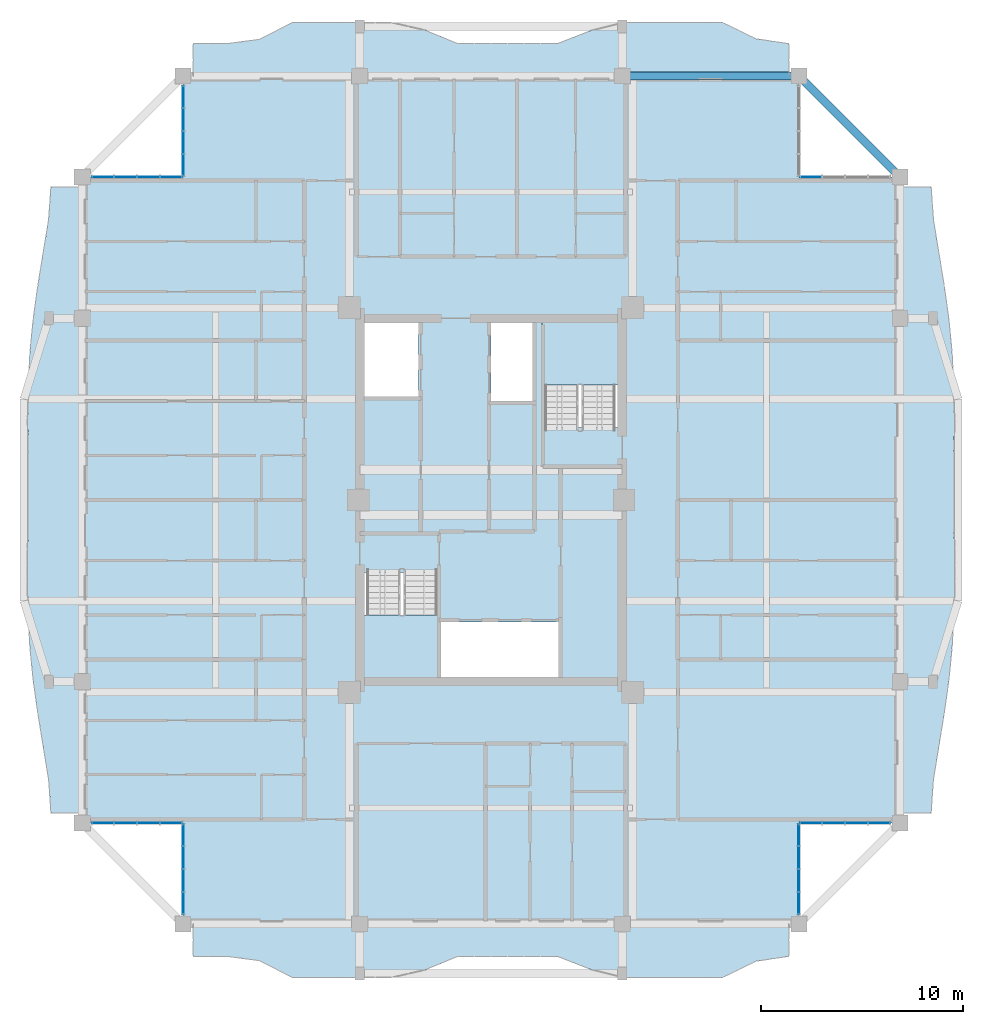
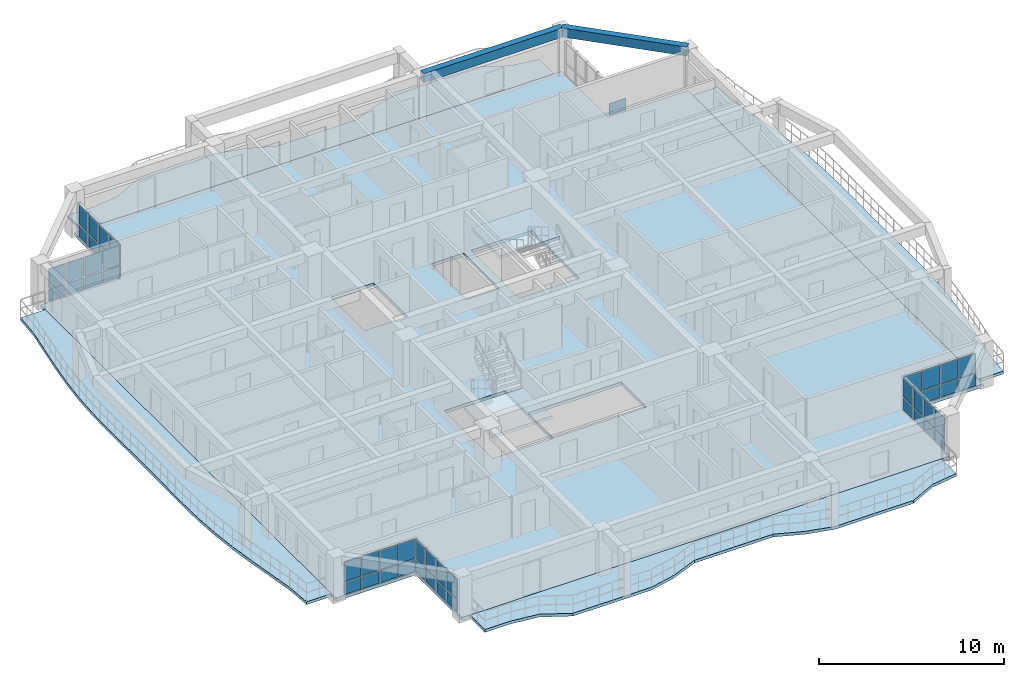
# One storey, part 9 of 21: 49 plates, 7 slabs, 2 beams, 9 elements without a shape of their own.
"""IFC4 building model written with IfcOpenShell, lengths in metres."""

from ifc_helpers import new_model, si_unit, direction, frame, origin, origin_2d, place, context, subcontext, project, spatial, polyline, rectangle, outline, extrude, source, transform, mapped, material, layer, layer_set, material_profile, profile_set, type_object, element, aggregate, save


model = new_model("IFC4")

# Units and contexts
model_context = context("Model", 3, precision=1e-05, world=origin(), true_north=direction((0.0, 1.0)))
body_context = subcontext(model_context, "Body", "Model", "MODEL_VIEW")
ifc_project = project(units=[si_unit("LENGTHUNIT", "METRE"), si_unit("AREAUNIT", "SQUARE_METRE"), si_unit("VOLUMEUNIT", "CUBIC_METRE"), si_unit("PLANEANGLEUNIT", "RADIAN"), si_unit("MASSUNIT", "GRAM", prefix="KILO")], contexts=[model_context])

# Site, building, storey
site_placement = place(None, origin())
site = spatial("IfcSite", under=ifc_project, at=site_placement, CompositionType="ELEMENT")
building_placement = place(site_placement, origin())
building = spatial("IfcBuilding", under=site, at=building_placement, Name="Saelheon Loggia Tower", CompositionType="ELEMENT")
storey_placement = place(building_placement, frame((0.0, 0.0, 186.699951171875)))
storey = spatial("IfcBuildingStorey", under=building, at=storey_placement, Name="L58", CompositionType="ELEMENT", Elevation=186.699951171875)

# Beams
ifc_material_1 = material(Name="Concrete C40/50", Category="concrete")
ifc_material_profile = material_profile(ifc_material_1, rectangle(XDim=0.39990234375, YDim=0.60009765625, at=origin_2d()), Name="RC-400x600")
ifc_profile_set = profile_set([ifc_material_profile], Name="Concrete C40/50")
beam_type = type_object("IfcBeamType", Name="Beam_PerimUpper_RC400x600", PredefinedType="BEAM", material=ifc_profile_set)
shared_shape_1 = source(origin(), body_context, "Body", "SweptSolid", [
    extrude(rectangle(XDim=0.39990234375, YDim=0.60009765625, at=origin_2d()), origin(), (0.0, 0.0, 1.0), 8.75),
])
beam_1_placement = place(storey_placement, frame((53.25, 48.0, 2.699951171875), z_axis=(-1.0, 0.0, 0.0), x_axis=(0.0, -1.0, 0.0)))
element("IfcBeam", 1, at=beam_1_placement, inside=storey, type_object=beam_type, Name="L58 Perimeter Frame Girder 09", PredefinedType="BEAM", context=body_context, shape_type="MappedRepresentation", body=[
    mapped(shared_shape_1, transform((0.0, 0.0, 0.0), scale=1.0)),
])
shared_shape_2 = source(origin(), body_context, "Body", "SweptSolid", [
    extrude(rectangle(XDim=0.39990234375, YDim=0.60009765625, at=origin_2d()), origin(), (0.0, 0.0, 1.0), 7.071044921875),
])
beam_2_placement = place(storey_placement, frame((58.25, 43.0, 2.699951171875), z_axis=(-0.707106781187, 0.707106781187, 0.0), x_axis=(-0.707106781187, -0.707106781187, 0.0)))
element("IfcBeam", 2, at=beam_2_placement, inside=storey, type_object=beam_type, Name="L58 Perimeter Frame Girder 08", PredefinedType="BEAM", context=body_context, shape_type="MappedRepresentation", body=[
    mapped(shared_shape_2, transform((0.0, 0.0, 0.0), scale=1.0)),
])

# Slabs
ifc_material_2 = material(Name="Precast Concrete C45/55", Category="concrete")
ifc_layer_1 = layer(ifc_material_2, 0.18994140625)
ifc_layer_set_1 = layer_set([ifc_layer_1], Name="Precast Concrete C45/55")
slab_type_1 = type_object("IfcSlabType", Name="Slab_Loggia_Ext_190", PredefinedType="FLOOR", material=ifc_layer_set_1)
slab_1_placement = place(storey_placement, frame((0.0, 0.0, -0.18994140625)))
element("IfcSlab", 3, at=slab_1_placement, inside=storey, type_object=slab_type_1, Name="L58 Loggia Balcony Slab S", PredefinedType="FLOOR", context=body_context, shape_type="SweptSolid", body=[
    extrude(outline(polyline([(23.25, 4.39990234375), (24.888916015625, 4.39990234375), (26.52783203125, 4.184814453125), (28.166748046875, 3.35009765625), (29.8056640625, 3.35009765625), (31.4443359375, 3.35009765625), (33.083251953125, 3.35009765625), (34.72216796875, 3.726318359375), (36.361083984375, 4.39990234375), (38.0, 4.39990234375), (39.638916015625, 4.39990234375), (41.27783203125, 4.39990234375), (42.916748046875, 3.759521484375), (44.5556640625, 3.35009765625), (46.1943359375, 3.35009765625), (47.833251953125, 3.35009765625), (49.47216796875, 3.35009765625), (51.111083984375, 4.152587890625), (52.75, 4.39990234375), (52.75, 6.0), (23.25, 6.0), (23.25, 4.39990234375)])), origin(), (0.0, 0.0, 1.0), 0.18994140625),
])
slab_2_placement = place(storey_placement, frame((0.0, 0.0, -0.18994140625)))
element("IfcSlab", 4, at=slab_2_placement, inside=storey, type_object=slab_type_1, Name="L58 Loggia Balcony Slab N", PredefinedType="FLOOR", context=body_context, shape_type="SweptSolid", body=[
    extrude(outline(polyline([(23.25, 48.0), (52.75, 48.0), (52.75, 49.60009765625), (51.111083984375, 49.847412109375), (49.47216796875, 50.64990234375), (47.833251953125, 50.64990234375), (46.1943359375, 50.64990234375), (44.5556640625, 50.64990234375), (42.916748046875, 50.240478515625), (41.27783203125, 49.60009765625), (39.638916015625, 49.60009765625), (38.0, 49.60009765625), (36.361083984375, 49.60009765625), (34.72216796875, 50.273681640625), (33.083251953125, 50.64990234375), (31.4443359375, 50.64990234375), (29.8056640625, 50.64990234375), (28.166748046875, 50.64990234375), (26.52783203125, 49.815185546875), (24.888916015625, 49.60009765625), (23.25, 49.60009765625), (23.25, 48.0)])), origin(), (0.0, 0.0, 1.0), 0.18994140625),
])
slab_3_placement = place(storey_placement, frame((0.0, 0.0, -0.18994140625)))
element("IfcSlab", 5, at=slab_3_placement, inside=storey, type_object=slab_type_1, Name="L58 Loggia Balcony Slab E", PredefinedType="FLOOR", context=body_context, shape_type="SweptSolid", body=[
    extrude(outline(polyline([(58.25, 11.5), (59.800048828125, 11.5), (59.91064453125, 13.131591796875), (60.17529296875, 14.76318359375), (60.441650390625, 16.394775390625), (60.67236328125, 18.0263671875), (60.83837890625, 19.657958984375), (60.929931640625, 21.28955078125), (60.958251953125, 22.921142578125), (60.94970703125, 24.552490234375), (60.933837890625, 26.18408203125), (60.9306640625, 27.81591796875), (60.94140625, 29.447509765625), (60.948486328125, 31.078857421875), (60.922607421875, 32.71044921875), (60.836669921875, 34.342041015625), (60.6767578125, 35.9736328125), (60.450439453125, 37.605224609375), (60.184814453125, 39.23681640625), (59.9169921875, 40.868408203125), (59.800048828125, 42.5), (58.25, 42.5), (58.25, 11.5)])), origin(), (0.0, 0.0, 1.0), 0.18994140625),
])
slab_4_placement = place(storey_placement, frame((0.0, 0.0, -0.18994140625)))
element("IfcSlab", 6, at=slab_4_placement, inside=storey, type_object=slab_type_1, Name="L58 Loggia Balcony Slab W", PredefinedType="FLOOR", context=body_context, shape_type="SweptSolid", body=[
    extrude(outline(polyline([(17.75, 11.5), (17.75, 42.5), (16.199951171875, 42.5), (16.0830078125, 40.868408203125), (15.815185546875, 39.23681640625), (15.549560546875, 37.605224609375), (15.3232421875, 35.9736328125), (15.163330078125, 34.342041015625), (15.077392578125, 32.71044921875), (15.051513671875, 31.078857421875), (15.05859375, 29.447509765625), (15.0693359375, 27.81591796875), (15.066162109375, 26.18408203125), (15.05029296875, 24.552490234375), (15.041748046875, 22.921142578125), (15.070068359375, 21.28955078125), (15.16162109375, 19.657958984375), (15.32763671875, 18.0263671875), (15.558349609375, 16.394775390625), (15.82470703125, 14.76318359375), (16.08935546875, 13.131591796875), (16.199951171875, 11.5), (17.75, 11.5)])), origin(), (0.0, 0.0, 1.0), 0.18994140625),
])

# Stair, slab
stair_type = type_object("IfcStairType", Name="Stair_Escape_Core", PredefinedType="HALF_TURN_STAIR", material=ifc_material_1)
stair_1_placement = place(storey_placement, origin())
stair_1 = element("IfcStair", 7, at=stair_1_placement, inside=storey, type_object=stair_type, Name="L58 Special Escape Stair ST1", PredefinedType="HALF_TURN_STAIR")
ifc_layer_2 = layer(ifc_material_1, 0.199951171875)
ifc_layer_set_2 = layer_set([ifc_layer_2], Name="Concrete C40/50")
slab_type_2 = type_object("IfcSlabType", Name="Slab_StairLanding_ST1", PredefinedType="LANDING", material=ifc_layer_set_2)
slab_5_placement = place(storey_placement, frame((0.0, 0.0, 1.300048828125)))
slab_5 = element("IfcSlab", 8, at=slab_5_placement, type_object=slab_type_2, Name="ST1 landing 1", PredefinedType="LANDING", context=body_context, shape_type="SweptSolid", body=[
    extrude(outline(polyline([(31.7099609375, 21.31005859375), (31.7099609375, 18.2099609375), (35.469970703125, 18.2099609375), (35.469970703125, 21.31005859375), (31.7099609375, 21.31005859375)])), origin(), (0.0, 0.0, 1.0), 0.199951171875),
])
aggregate(stair_1, [slab_5])

stair_2_placement = place(storey_placement, origin())
stair_2 = element("IfcStair", 9, at=stair_2_placement, inside=storey, type_object=stair_type, Name="L58 Special Escape Stair ST2", PredefinedType="HALF_TURN_STAIR")
ifc_layer_3 = layer(ifc_material_1, 0.199951171875)
ifc_layer_set_3 = layer_set([ifc_layer_3], Name="Concrete C40/50")
slab_type_3 = type_object("IfcSlabType", Name="Slab_StairLanding_ST2", PredefinedType="LANDING", material=ifc_layer_set_3)
slab_6_placement = place(storey_placement, frame((0.0, 0.0, 1.300048828125)))
slab_6 = element("IfcSlab", 10, at=slab_6_placement, type_object=slab_type_3, Name="ST2 landing 1", PredefinedType="LANDING", context=body_context, shape_type="SweptSolid", body=[
    extrude(outline(polyline([(44.2900390625, 32.68994140625), (44.2900390625, 35.7900390625), (40.530029296875, 35.7900390625), (40.530029296875, 32.68994140625), (44.2900390625, 32.68994140625)])), origin(), (0.0, 0.0, 1.0), 0.199951171875),
])
aggregate(stair_2, [slab_6])

# Slab
ifc_layer_4 = layer(ifc_material_1, 0.2099609375)
ifc_layer_set_4 = layer_set([ifc_layer_4], Name="Concrete C40/50")
slab_type_4 = type_object("IfcSlabType", Name="Slab_Tower_210", PredefinedType="FLOOR", material=ifc_layer_set_4)
slab_7_placement = place(storey_placement, frame((0.0, 0.0, -0.2099609375)))
element("IfcSlab", 11, at=slab_7_placement, inside=storey, type_object=slab_type_4, Name="L58 Tower Floor Slab", PredefinedType="FLOOR", context=body_context, shape_type="SweptSolid", body=[
    extrude(outline(polyline([(22.75, 6.0), (53.25, 6.0), (53.25, 11.0), (58.25, 11.0), (58.25, 43.0), (53.25, 43.0), (53.25, 48.0), (22.75, 48.0), (22.75, 43.0), (17.75, 43.0), (17.75, 11.0), (22.75, 11.0), (22.75, 6.0)]), holes=[polyline([(31.699951171875, 23.409912109375), (31.699951171875, 18.199951171875), (35.47998046875, 18.199951171875), (35.47998046875, 23.409912109375), (31.699951171875, 23.409912109375)]), polyline([(44.300048828125, 30.590087890625), (44.300048828125, 35.800048828125), (40.52001953125, 35.800048828125), (40.52001953125, 30.590087890625), (44.300048828125, 30.590087890625)]), polyline([(35.530029296875, 18.22509765625), (41.35009765625, 18.22509765625), (41.35009765625, 20.9599609375), (35.530029296875, 20.9599609375), (35.530029296875, 18.22509765625)]), polyline([(31.72509765625, 32.1201171875), (34.419921875, 32.1201171875), (34.419921875, 35.77490234375), (31.72509765625, 35.77490234375), (31.72509765625, 32.1201171875)]), polyline([(38.0, 31.89990234375), (40.050048828125, 31.89990234375), (40.050048828125, 35.77490234375), (38.0, 35.77490234375), (38.0, 31.89990234375)])]), origin(), (0.0, 0.0, 1.0), 0.2099609375),
])

# Curtain wall, plates
ifc_material_3 = material(Name="High-Wind Aluminium and Triple Laminated Glass", Category="aluminium")
ifc_layer_5 = layer(ifc_material_3, 0.179931640625)
ifc_layer_set_5 = layer_set([ifc_layer_5], Name="High-Wind Aluminium and Triple Laminated Glass")
curtain_wall_type = type_object("IfcCurtainWallType", Name="CW_TowerLoggiaHigh", PredefinedType="NOTDEFINED", material=ifc_layer_set_5)
curtain_wall_1_placement = place(storey_placement, origin())
curtain_wall_1 = element("IfcCurtainWall", 12, at=curtain_wall_1_placement, inside=storey, type_object=curtain_wall_type, Name="L58 Corner Notch Glazing SW1", PredefinedType="NOTDEFINED")
ifc_material_4 = material(Name="Triple Low-E Laminated Glazing", Category="glass")
ifc_layer_6 = layer(ifc_material_4, 0.0439453125)
ifc_layer_set_6 = layer_set([ifc_layer_6], Name="Triple Low-E Laminated Glazing")
plate_type = type_object("IfcPlateType", Name="CW_TowerLoggiaHigh_Panel", PredefinedType="CURTAIN_PANEL", material=ifc_layer_set_6)
shared_shape_3 = source(origin(), body_context, "Body", "SweptSolid", [
    extrude(rectangle(XDim=1.034912109375, YDim=0.0439453125, at=origin_2d()), origin(), (0.0, 0.0, 1.0), 0.794921875),
])
plate_1_placement = place(storey_placement, frame((22.75, 7.027587890625, 0.070068359375), z_axis=(0.0, 0.0, 1.0), x_axis=(0.0, 1.0, 0.0)))
plate_1 = element("IfcPlate", 13, at=plate_1_placement, type_object=plate_type, Name="CW4 panel 1.1", PredefinedType="CURTAIN_PANEL", context=body_context, shape_type="MappedRepresentation", body=[
    mapped(shared_shape_3, transform((0.0, 0.0, 0.0), scale=1.0)),
])
plate_2_placement = place(storey_placement, frame((22.75, 10.41259765625, 0.070068359375), z_axis=(0.0, 0.0, 1.0), x_axis=(0.0, 1.0, 0.0)))
plate_2 = element("IfcPlate", 14, at=plate_2_placement, type_object=plate_type, Name="CW4 panel 4.1", PredefinedType="CURTAIN_PANEL", context=body_context, shape_type="MappedRepresentation", body=[
    mapped(shared_shape_3, transform((0.0, 0.0, 0.0), scale=1.0)),
])

curtain_wall_2_placement = place(storey_placement, origin())
curtain_wall_2 = element("IfcCurtainWall", 15, at=curtain_wall_2_placement, inside=storey, type_object=curtain_wall_type, Name="L58 Corner Notch Glazing SW2", PredefinedType="NOTDEFINED")
plate_3_placement = place(storey_placement, frame((18.777587890625, 11.0, 0.070068359375), z_axis=(0.0, 0.0, 1.0), x_axis=(1.0, 0.0, 0.0)))
plate_3 = element("IfcPlate", 16, at=plate_3_placement, type_object=plate_type, Name="CW4 panel 1.1", PredefinedType="CURTAIN_PANEL", context=body_context, shape_type="MappedRepresentation", body=[
    mapped(shared_shape_3, transform((0.0, 0.0, 0.0), scale=1.0)),
])
plate_4_placement = place(storey_placement, frame((22.16259765625, 11.0, 0.070068359375), z_axis=(0.0, 0.0, 1.0), x_axis=(1.0, 0.0, 0.0)))
plate_4 = element("IfcPlate", 17, at=plate_4_placement, type_object=plate_type, Name="CW4 panel 4.1", PredefinedType="CURTAIN_PANEL", context=body_context, shape_type="MappedRepresentation", body=[
    mapped(shared_shape_3, transform((0.0, 0.0, 0.0), scale=1.0)),
])

curtain_wall_3_placement = place(storey_placement, origin())
curtain_wall_3 = element("IfcCurtainWall", 18, at=curtain_wall_3_placement, inside=storey, type_object=curtain_wall_type, Name="L58 Corner Notch Glazing SE1", PredefinedType="NOTDEFINED")
plate_5_placement = place(storey_placement, frame((53.25, 7.027587890625, 0.070068359375), z_axis=(0.0, 0.0, 1.0), x_axis=(0.0, 1.0, 0.0)))
plate_5 = element("IfcPlate", 19, at=plate_5_placement, type_object=plate_type, Name="CW4 panel 1.1", PredefinedType="CURTAIN_PANEL", context=body_context, shape_type="MappedRepresentation", body=[
    mapped(shared_shape_3, transform((0.0, 0.0, 0.0), scale=1.0)),
])
plate_6_placement = place(storey_placement, frame((53.25, 10.41259765625, 0.070068359375), z_axis=(0.0, 0.0, 1.0), x_axis=(0.0, 1.0, 0.0)))
plate_6 = element("IfcPlate", 20, at=plate_6_placement, type_object=plate_type, Name="CW4 panel 4.1", PredefinedType="CURTAIN_PANEL", context=body_context, shape_type="MappedRepresentation", body=[
    mapped(shared_shape_3, transform((0.0, 0.0, 0.0), scale=1.0)),
])

curtain_wall_4_placement = place(storey_placement, origin())
curtain_wall_4 = element("IfcCurtainWall", 21, at=curtain_wall_4_placement, inside=storey, type_object=curtain_wall_type, Name="L58 Corner Notch Glazing SE2", PredefinedType="NOTDEFINED")
plate_7_placement = place(storey_placement, frame((53.83740234375, 11.0, 0.070068359375), z_axis=(0.0, 0.0, 1.0), x_axis=(1.0, 0.0, 0.0)))
plate_7 = element("IfcPlate", 22, at=plate_7_placement, type_object=plate_type, Name="CW4 panel 1.1", PredefinedType="CURTAIN_PANEL", context=body_context, shape_type="MappedRepresentation", body=[
    mapped(shared_shape_3, transform((0.0, 0.0, 0.0), scale=1.0)),
])
plate_8_placement = place(storey_placement, frame((57.222412109375, 11.0, 0.070068359375), z_axis=(0.0, 0.0, 1.0), x_axis=(1.0, 0.0, 0.0)))
plate_8 = element("IfcPlate", 23, at=plate_8_placement, type_object=plate_type, Name="CW4 panel 4.1", PredefinedType="CURTAIN_PANEL", context=body_context, shape_type="MappedRepresentation", body=[
    mapped(shared_shape_3, transform((0.0, 0.0, 0.0), scale=1.0)),
])

curtain_wall_5_placement = place(storey_placement, origin())
curtain_wall_5 = element("IfcCurtainWall", 24, at=curtain_wall_5_placement, inside=storey, type_object=curtain_wall_type, Name="L58 Corner Notch Glazing NW1", PredefinedType="NOTDEFINED")
plate_9_placement = place(storey_placement, frame((22.75, 43.58740234375, 0.070068359375), z_axis=(0.0, 0.0, 1.0), x_axis=(0.0, 1.0, 0.0)))
plate_9 = element("IfcPlate", 25, at=plate_9_placement, type_object=plate_type, Name="CW4 panel 1.1", PredefinedType="CURTAIN_PANEL", context=body_context, shape_type="MappedRepresentation", body=[
    mapped(shared_shape_3, transform((0.0, 0.0, 0.0), scale=1.0)),
])
plate_10_placement = place(storey_placement, frame((22.75, 46.972412109375, 0.070068359375), z_axis=(0.0, 0.0, 1.0), x_axis=(0.0, 1.0, 0.0)))
plate_10 = element("IfcPlate", 26, at=plate_10_placement, type_object=plate_type, Name="CW4 panel 4.1", PredefinedType="CURTAIN_PANEL", context=body_context, shape_type="MappedRepresentation", body=[
    mapped(shared_shape_3, transform((0.0, 0.0, 0.0), scale=1.0)),
])

curtain_wall_6_placement = place(storey_placement, origin())
curtain_wall_6 = element("IfcCurtainWall", 27, at=curtain_wall_6_placement, inside=storey, type_object=curtain_wall_type, Name="L58 Corner Notch Glazing NW2", PredefinedType="NOTDEFINED")
plate_11_placement = place(storey_placement, frame((18.777587890625, 43.0, 0.070068359375), z_axis=(0.0, 0.0, 1.0), x_axis=(1.0, 0.0, 0.0)))
plate_11 = element("IfcPlate", 28, at=plate_11_placement, type_object=plate_type, Name="CW4 panel 1.1", PredefinedType="CURTAIN_PANEL", context=body_context, shape_type="MappedRepresentation", body=[
    mapped(shared_shape_3, transform((0.0, 0.0, 0.0), scale=1.0)),
])
plate_12_placement = place(storey_placement, frame((22.16259765625, 43.0, 0.070068359375), z_axis=(0.0, 0.0, 1.0), x_axis=(1.0, 0.0, 0.0)))
plate_12 = element("IfcPlate", 29, at=plate_12_placement, type_object=plate_type, Name="CW4 panel 4.1", PredefinedType="CURTAIN_PANEL", context=body_context, shape_type="MappedRepresentation", body=[
    mapped(shared_shape_3, transform((0.0, 0.0, 0.0), scale=1.0)),
])

# Curtain wall, plate
curtain_wall_7_placement = place(storey_placement, origin())
curtain_wall_7 = element("IfcCurtainWall", 30, at=curtain_wall_7_placement, inside=storey, type_object=curtain_wall_type, Name="L58 Corner Notch Glazing NE2", PredefinedType="NOTDEFINED")
plate_13_placement = place(storey_placement, frame((53.83740234375, 43.0, 0.070068359375), z_axis=(0.0, 0.0, 1.0), x_axis=(1.0, 0.0, 0.0)))
plate_13 = element("IfcPlate", 31, at=plate_13_placement, type_object=plate_type, Name="CW4 panel 1.1", PredefinedType="CURTAIN_PANEL", context=body_context, shape_type="MappedRepresentation", body=[
    mapped(shared_shape_3, transform((0.0, 0.0, 0.0), scale=1.0)),
])
aggregate(curtain_wall_7, [plate_13])

# Plate
shared_shape_4 = source(origin(), body_context, "Body", "SweptSolid", [
    extrude(rectangle(XDim=1.034912109375, YDim=0.0439453125, at=origin_2d()), origin(), (0.0, 0.0, 1.0), 1.27490234375),
])
plate_14_placement = place(storey_placement, frame((22.75, 7.027587890625, 0.93505859375), z_axis=(0.0, 0.0, 1.0), x_axis=(0.0, 1.0, 0.0)))
plate_14 = element("IfcPlate", 32, at=plate_14_placement, type_object=plate_type, Name="CW4 panel 1.2", PredefinedType="CURTAIN_PANEL", context=body_context, shape_type="MappedRepresentation", body=[
    mapped(shared_shape_4, transform((0.0, 0.0, 0.0), scale=1.0)),
])

plate_15_placement = place(storey_placement, frame((22.75, 10.41259765625, 0.93505859375), z_axis=(0.0, 0.0, 1.0), x_axis=(0.0, 1.0, 0.0)))
plate_15 = element("IfcPlate", 33, at=plate_15_placement, type_object=plate_type, Name="CW4 panel 4.2", PredefinedType="CURTAIN_PANEL", context=body_context, shape_type="MappedRepresentation", body=[
    mapped(shared_shape_4, transform((0.0, 0.0, 0.0), scale=1.0)),
])

plate_16_placement = place(storey_placement, frame((18.777587890625, 11.0, 0.93505859375), z_axis=(0.0, 0.0, 1.0), x_axis=(1.0, 0.0, 0.0)))
plate_16 = element("IfcPlate", 34, at=plate_16_placement, type_object=plate_type, Name="CW4 panel 1.2", PredefinedType="CURTAIN_PANEL", context=body_context, shape_type="MappedRepresentation", body=[
    mapped(shared_shape_4, transform((0.0, 0.0, 0.0), scale=1.0)),
])

plate_17_placement = place(storey_placement, frame((22.16259765625, 11.0, 0.93505859375), z_axis=(0.0, 0.0, 1.0), x_axis=(1.0, 0.0, 0.0)))
plate_17 = element("IfcPlate", 35, at=plate_17_placement, type_object=plate_type, Name="CW4 panel 4.2", PredefinedType="CURTAIN_PANEL", context=body_context, shape_type="MappedRepresentation", body=[
    mapped(shared_shape_4, transform((0.0, 0.0, 0.0), scale=1.0)),
])

plate_18_placement = place(storey_placement, frame((53.25, 7.027587890625, 0.93505859375), z_axis=(0.0, 0.0, 1.0), x_axis=(0.0, 1.0, 0.0)))
plate_18 = element("IfcPlate", 36, at=plate_18_placement, type_object=plate_type, Name="CW4 panel 1.2", PredefinedType="CURTAIN_PANEL", context=body_context, shape_type="MappedRepresentation", body=[
    mapped(shared_shape_4, transform((0.0, 0.0, 0.0), scale=1.0)),
])

plate_19_placement = place(storey_placement, frame((53.25, 10.41259765625, 0.93505859375), z_axis=(0.0, 0.0, 1.0), x_axis=(0.0, 1.0, 0.0)))
plate_19 = element("IfcPlate", 37, at=plate_19_placement, type_object=plate_type, Name="CW4 panel 4.2", PredefinedType="CURTAIN_PANEL", context=body_context, shape_type="MappedRepresentation", body=[
    mapped(shared_shape_4, transform((0.0, 0.0, 0.0), scale=1.0)),
])

plate_20_placement = place(storey_placement, frame((53.83740234375, 11.0, 0.93505859375), z_axis=(0.0, 0.0, 1.0), x_axis=(1.0, 0.0, 0.0)))
plate_20 = element("IfcPlate", 38, at=plate_20_placement, type_object=plate_type, Name="CW4 panel 1.2", PredefinedType="CURTAIN_PANEL", context=body_context, shape_type="MappedRepresentation", body=[
    mapped(shared_shape_4, transform((0.0, 0.0, 0.0), scale=1.0)),
])

plate_21_placement = place(storey_placement, frame((57.222412109375, 11.0, 0.93505859375), z_axis=(0.0, 0.0, 1.0), x_axis=(1.0, 0.0, 0.0)))
plate_21 = element("IfcPlate", 39, at=plate_21_placement, type_object=plate_type, Name="CW4 panel 4.2", PredefinedType="CURTAIN_PANEL", context=body_context, shape_type="MappedRepresentation", body=[
    mapped(shared_shape_4, transform((0.0, 0.0, 0.0), scale=1.0)),
])

plate_22_placement = place(storey_placement, frame((22.75, 43.58740234375, 0.93505859375), z_axis=(0.0, 0.0, 1.0), x_axis=(0.0, 1.0, 0.0)))
plate_22 = element("IfcPlate", 40, at=plate_22_placement, type_object=plate_type, Name="CW4 panel 1.2", PredefinedType="CURTAIN_PANEL", context=body_context, shape_type="MappedRepresentation", body=[
    mapped(shared_shape_4, transform((0.0, 0.0, 0.0), scale=1.0)),
])

plate_23_placement = place(storey_placement, frame((22.75, 46.972412109375, 0.93505859375), z_axis=(0.0, 0.0, 1.0), x_axis=(0.0, 1.0, 0.0)))
plate_23 = element("IfcPlate", 41, at=plate_23_placement, type_object=plate_type, Name="CW4 panel 4.2", PredefinedType="CURTAIN_PANEL", context=body_context, shape_type="MappedRepresentation", body=[
    mapped(shared_shape_4, transform((0.0, 0.0, 0.0), scale=1.0)),
])

plate_24_placement = place(storey_placement, frame((18.777587890625, 43.0, 0.93505859375), z_axis=(0.0, 0.0, 1.0), x_axis=(1.0, 0.0, 0.0)))
plate_24 = element("IfcPlate", 42, at=plate_24_placement, type_object=plate_type, Name="CW4 panel 1.2", PredefinedType="CURTAIN_PANEL", context=body_context, shape_type="MappedRepresentation", body=[
    mapped(shared_shape_4, transform((0.0, 0.0, 0.0), scale=1.0)),
])

plate_25_placement = place(storey_placement, frame((22.16259765625, 43.0, 0.93505859375), z_axis=(0.0, 0.0, 1.0), x_axis=(1.0, 0.0, 0.0)))
plate_25 = element("IfcPlate", 43, at=plate_25_placement, type_object=plate_type, Name="CW4 panel 4.2", PredefinedType="CURTAIN_PANEL", context=body_context, shape_type="MappedRepresentation", body=[
    mapped(shared_shape_4, transform((0.0, 0.0, 0.0), scale=1.0)),
])

shared_shape_5 = source(origin(), body_context, "Body", "SweptSolid", [
    extrude(rectangle(XDim=1.070068359375, YDim=0.0439453125, at=origin_2d()), origin(), (0.0, 0.0, 1.0), 0.794921875),
])
plate_26_placement = place(storey_placement, frame((22.75, 8.14990234375, 0.070068359375), z_axis=(0.0, 0.0, 1.0), x_axis=(0.0, 1.0, 0.0)))
plate_26 = element("IfcPlate", 44, at=plate_26_placement, type_object=plate_type, Name="CW4 panel 2.1", PredefinedType="CURTAIN_PANEL", context=body_context, shape_type="MappedRepresentation", body=[
    mapped(shared_shape_5, transform((0.0, 0.0, 0.0), scale=1.0)),
])

plate_27_placement = place(storey_placement, frame((22.75, 9.2900390625, 0.070068359375), z_axis=(0.0, 0.0, 1.0), x_axis=(0.0, 1.0, 0.0)))
plate_27 = element("IfcPlate", 45, at=plate_27_placement, type_object=plate_type, Name="CW4 panel 3.1", PredefinedType="CURTAIN_PANEL", context=body_context, shape_type="MappedRepresentation", body=[
    mapped(shared_shape_5, transform((0.0, 0.0, 0.0), scale=1.0)),
])

plate_28_placement = place(storey_placement, frame((19.89990234375, 11.0, 0.070068359375), z_axis=(0.0, 0.0, 1.0), x_axis=(1.0, 0.0, 0.0)))
plate_28 = element("IfcPlate", 46, at=plate_28_placement, type_object=plate_type, Name="CW4 panel 2.1", PredefinedType="CURTAIN_PANEL", context=body_context, shape_type="MappedRepresentation", body=[
    mapped(shared_shape_5, transform((0.0, 0.0, 0.0), scale=1.0)),
])

plate_29_placement = place(storey_placement, frame((21.0400390625, 11.0, 0.070068359375), z_axis=(0.0, 0.0, 1.0), x_axis=(1.0, 0.0, 0.0)))
plate_29 = element("IfcPlate", 47, at=plate_29_placement, type_object=plate_type, Name="CW4 panel 3.1", PredefinedType="CURTAIN_PANEL", context=body_context, shape_type="MappedRepresentation", body=[
    mapped(shared_shape_5, transform((0.0, 0.0, 0.0), scale=1.0)),
])

plate_30_placement = place(storey_placement, frame((53.25, 8.14990234375, 0.070068359375), z_axis=(0.0, 0.0, 1.0), x_axis=(0.0, 1.0, 0.0)))
plate_30 = element("IfcPlate", 48, at=plate_30_placement, type_object=plate_type, Name="CW4 panel 2.1", PredefinedType="CURTAIN_PANEL", context=body_context, shape_type="MappedRepresentation", body=[
    mapped(shared_shape_5, transform((0.0, 0.0, 0.0), scale=1.0)),
])

plate_31_placement = place(storey_placement, frame((53.25, 9.2900390625, 0.070068359375), z_axis=(0.0, 0.0, 1.0), x_axis=(0.0, 1.0, 0.0)))
plate_31 = element("IfcPlate", 49, at=plate_31_placement, type_object=plate_type, Name="CW4 panel 3.1", PredefinedType="CURTAIN_PANEL", context=body_context, shape_type="MappedRepresentation", body=[
    mapped(shared_shape_5, transform((0.0, 0.0, 0.0), scale=1.0)),
])

plate_32_placement = place(storey_placement, frame((54.9599609375, 11.0, 0.070068359375), z_axis=(0.0, 0.0, 1.0), x_axis=(1.0, 0.0, 0.0)))
plate_32 = element("IfcPlate", 50, at=plate_32_placement, type_object=plate_type, Name="CW4 panel 2.1", PredefinedType="CURTAIN_PANEL", context=body_context, shape_type="MappedRepresentation", body=[
    mapped(shared_shape_5, transform((0.0, 0.0, 0.0), scale=1.0)),
])

plate_33_placement = place(storey_placement, frame((56.10009765625, 11.0, 0.070068359375), z_axis=(0.0, 0.0, 1.0), x_axis=(1.0, 0.0, 0.0)))
plate_33 = element("IfcPlate", 51, at=plate_33_placement, type_object=plate_type, Name="CW4 panel 3.1", PredefinedType="CURTAIN_PANEL", context=body_context, shape_type="MappedRepresentation", body=[
    mapped(shared_shape_5, transform((0.0, 0.0, 0.0), scale=1.0)),
])

plate_34_placement = place(storey_placement, frame((22.75, 44.7099609375, 0.070068359375), z_axis=(0.0, 0.0, 1.0), x_axis=(0.0, 1.0, 0.0)))
plate_34 = element("IfcPlate", 52, at=plate_34_placement, type_object=plate_type, Name="CW4 panel 2.1", PredefinedType="CURTAIN_PANEL", context=body_context, shape_type="MappedRepresentation", body=[
    mapped(shared_shape_5, transform((0.0, 0.0, 0.0), scale=1.0)),
])

plate_35_placement = place(storey_placement, frame((22.75, 45.85009765625, 0.070068359375), z_axis=(0.0, 0.0, 1.0), x_axis=(0.0, 1.0, 0.0)))
plate_35 = element("IfcPlate", 53, at=plate_35_placement, type_object=plate_type, Name="CW4 panel 3.1", PredefinedType="CURTAIN_PANEL", context=body_context, shape_type="MappedRepresentation", body=[
    mapped(shared_shape_5, transform((0.0, 0.0, 0.0), scale=1.0)),
])

plate_36_placement = place(storey_placement, frame((19.89990234375, 43.0, 0.070068359375), z_axis=(0.0, 0.0, 1.0), x_axis=(1.0, 0.0, 0.0)))
plate_36 = element("IfcPlate", 54, at=plate_36_placement, type_object=plate_type, Name="CW4 panel 2.1", PredefinedType="CURTAIN_PANEL", context=body_context, shape_type="MappedRepresentation", body=[
    mapped(shared_shape_5, transform((0.0, 0.0, 0.0), scale=1.0)),
])

plate_37_placement = place(storey_placement, frame((21.0400390625, 43.0, 0.070068359375), z_axis=(0.0, 0.0, 1.0), x_axis=(1.0, 0.0, 0.0)))
plate_37 = element("IfcPlate", 55, at=plate_37_placement, type_object=plate_type, Name="CW4 panel 3.1", PredefinedType="CURTAIN_PANEL", context=body_context, shape_type="MappedRepresentation", body=[
    mapped(shared_shape_5, transform((0.0, 0.0, 0.0), scale=1.0)),
])

shared_shape_6 = source(origin(), body_context, "Body", "SweptSolid", [
    extrude(rectangle(XDim=1.070068359375, YDim=0.0439453125, at=origin_2d()), origin(), (0.0, 0.0, 1.0), 1.27490234375),
])
plate_38_placement = place(storey_placement, frame((22.75, 8.14990234375, 0.93505859375), z_axis=(0.0, 0.0, 1.0), x_axis=(0.0, 1.0, 0.0)))
plate_38 = element("IfcPlate", 56, at=plate_38_placement, type_object=plate_type, Name="CW4 panel 2.2", PredefinedType="CURTAIN_PANEL", context=body_context, shape_type="MappedRepresentation", body=[
    mapped(shared_shape_6, transform((0.0, 0.0, 0.0), scale=1.0)),
])

plate_39_placement = place(storey_placement, frame((22.75, 9.2900390625, 0.93505859375), z_axis=(0.0, 0.0, 1.0), x_axis=(0.0, 1.0, 0.0)))
plate_39 = element("IfcPlate", 57, at=plate_39_placement, type_object=plate_type, Name="CW4 panel 3.2", PredefinedType="CURTAIN_PANEL", context=body_context, shape_type="MappedRepresentation", body=[
    mapped(shared_shape_6, transform((0.0, 0.0, 0.0), scale=1.0)),
])

aggregate(curtain_wall_1, [plate_1, plate_14, plate_26, plate_38, plate_27, plate_39, plate_2, plate_15])

plate_40_placement = place(storey_placement, frame((19.89990234375, 11.0, 0.93505859375), z_axis=(0.0, 0.0, 1.0), x_axis=(1.0, 0.0, 0.0)))
plate_40 = element("IfcPlate", 58, at=plate_40_placement, type_object=plate_type, Name="CW4 panel 2.2", PredefinedType="CURTAIN_PANEL", context=body_context, shape_type="MappedRepresentation", body=[
    mapped(shared_shape_6, transform((0.0, 0.0, 0.0), scale=1.0)),
])

plate_41_placement = place(storey_placement, frame((21.0400390625, 11.0, 0.93505859375), z_axis=(0.0, 0.0, 1.0), x_axis=(1.0, 0.0, 0.0)))
plate_41 = element("IfcPlate", 59, at=plate_41_placement, type_object=plate_type, Name="CW4 panel 3.2", PredefinedType="CURTAIN_PANEL", context=body_context, shape_type="MappedRepresentation", body=[
    mapped(shared_shape_6, transform((0.0, 0.0, 0.0), scale=1.0)),
])

aggregate(curtain_wall_2, [plate_3, plate_16, plate_28, plate_40, plate_29, plate_41, plate_4, plate_17])

plate_42_placement = place(storey_placement, frame((53.25, 8.14990234375, 0.93505859375), z_axis=(0.0, 0.0, 1.0), x_axis=(0.0, 1.0, 0.0)))
plate_42 = element("IfcPlate", 60, at=plate_42_placement, type_object=plate_type, Name="CW4 panel 2.2", PredefinedType="CURTAIN_PANEL", context=body_context, shape_type="MappedRepresentation", body=[
    mapped(shared_shape_6, transform((0.0, 0.0, 0.0), scale=1.0)),
])

plate_43_placement = place(storey_placement, frame((53.25, 9.2900390625, 0.93505859375), z_axis=(0.0, 0.0, 1.0), x_axis=(0.0, 1.0, 0.0)))
plate_43 = element("IfcPlate", 61, at=plate_43_placement, type_object=plate_type, Name="CW4 panel 3.2", PredefinedType="CURTAIN_PANEL", context=body_context, shape_type="MappedRepresentation", body=[
    mapped(shared_shape_6, transform((0.0, 0.0, 0.0), scale=1.0)),
])

aggregate(curtain_wall_3, [plate_5, plate_18, plate_30, plate_42, plate_31, plate_43, plate_6, plate_19])

plate_44_placement = place(storey_placement, frame((54.9599609375, 11.0, 0.93505859375), z_axis=(0.0, 0.0, 1.0), x_axis=(1.0, 0.0, 0.0)))
plate_44 = element("IfcPlate", 62, at=plate_44_placement, type_object=plate_type, Name="CW4 panel 2.2", PredefinedType="CURTAIN_PANEL", context=body_context, shape_type="MappedRepresentation", body=[
    mapped(shared_shape_6, transform((0.0, 0.0, 0.0), scale=1.0)),
])

plate_45_placement = place(storey_placement, frame((56.10009765625, 11.0, 0.93505859375), z_axis=(0.0, 0.0, 1.0), x_axis=(1.0, 0.0, 0.0)))
plate_45 = element("IfcPlate", 63, at=plate_45_placement, type_object=plate_type, Name="CW4 panel 3.2", PredefinedType="CURTAIN_PANEL", context=body_context, shape_type="MappedRepresentation", body=[
    mapped(shared_shape_6, transform((0.0, 0.0, 0.0), scale=1.0)),
])

aggregate(curtain_wall_4, [plate_7, plate_20, plate_32, plate_44, plate_33, plate_45, plate_8, plate_21])

plate_46_placement = place(storey_placement, frame((22.75, 44.7099609375, 0.93505859375), z_axis=(0.0, 0.0, 1.0), x_axis=(0.0, 1.0, 0.0)))
plate_46 = element("IfcPlate", 64, at=plate_46_placement, type_object=plate_type, Name="CW4 panel 2.2", PredefinedType="CURTAIN_PANEL", context=body_context, shape_type="MappedRepresentation", body=[
    mapped(shared_shape_6, transform((0.0, 0.0, 0.0), scale=1.0)),
])

plate_47_placement = place(storey_placement, frame((22.75, 45.85009765625, 0.93505859375), z_axis=(0.0, 0.0, 1.0), x_axis=(0.0, 1.0, 0.0)))
plate_47 = element("IfcPlate", 65, at=plate_47_placement, type_object=plate_type, Name="CW4 panel 3.2", PredefinedType="CURTAIN_PANEL", context=body_context, shape_type="MappedRepresentation", body=[
    mapped(shared_shape_6, transform((0.0, 0.0, 0.0), scale=1.0)),
])

aggregate(curtain_wall_5, [plate_9, plate_22, plate_34, plate_46, plate_35, plate_47, plate_10, plate_23])

plate_48_placement = place(storey_placement, frame((19.89990234375, 43.0, 0.93505859375), z_axis=(0.0, 0.0, 1.0), x_axis=(1.0, 0.0, 0.0)))
plate_48 = element("IfcPlate", 66, at=plate_48_placement, type_object=plate_type, Name="CW4 panel 2.2", PredefinedType="CURTAIN_PANEL", context=body_context, shape_type="MappedRepresentation", body=[
    mapped(shared_shape_6, transform((0.0, 0.0, 0.0), scale=1.0)),
])

plate_49_placement = place(storey_placement, frame((21.0400390625, 43.0, 0.93505859375), z_axis=(0.0, 0.0, 1.0), x_axis=(1.0, 0.0, 0.0)))
plate_49 = element("IfcPlate", 67, at=plate_49_placement, type_object=plate_type, Name="CW4 panel 3.2", PredefinedType="CURTAIN_PANEL", context=body_context, shape_type="MappedRepresentation", body=[
    mapped(shared_shape_6, transform((0.0, 0.0, 0.0), scale=1.0)),
])

aggregate(curtain_wall_6, [plate_11, plate_24, plate_36, plate_48, plate_37, plate_49, plate_12, plate_25])

save(model, "model.ifc")
